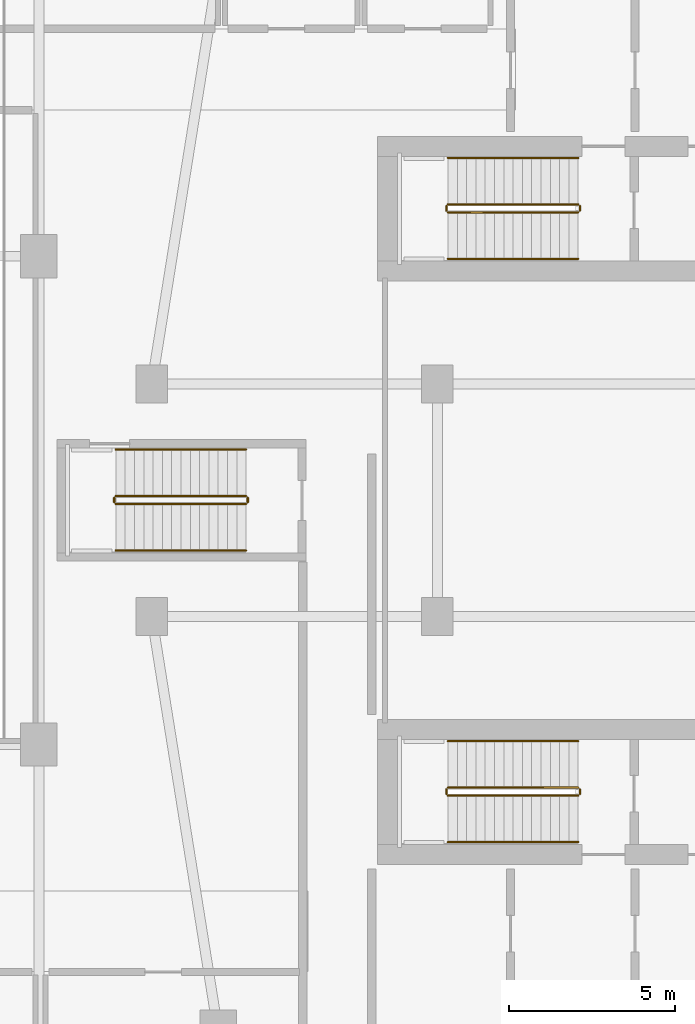
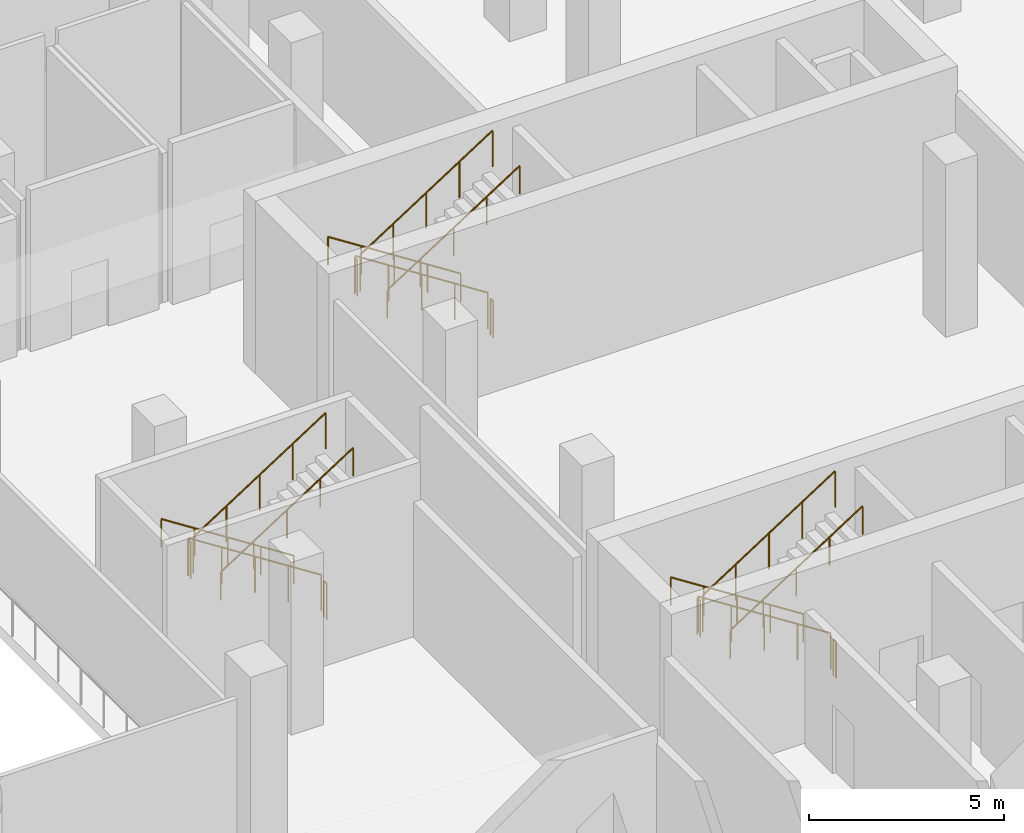
# One storey, part 23 of 24: 18 railings.
"""IFC4 building model written with IfcOpenShell, lengths in metres."""

import ifcopenshell
import ifcopenshell.guid

model = None  # the IFC model being written
_history = None  # IfcOwnerHistory: only IFC2X3 demands one
_inside = {}  # id of a spatial element -> (the spatial element, [elements in it])
_under = {}  # id of a project, library or spatial element -> (it, [spatial elements below it])
_declared = {}  # id of a project -> (the project, [libraries it declares])
_typed = {}  # id of a type object -> (the type object, [elements of that type])
_made_of = {}  # id of a material, layer set ... -> (it, [elements and type objects made of it])


def new_model(schema):
    """Start an empty IFC model of exactly this schema.

    Asked for "IFC4X3", IfcOpenShell would pick the latest addendum, in which some entities
    have other attributes; the version numbers below select the first issue.
    IFC2X3 requires an IfcOwnerHistory on every rooted entity: one is made here for all.
    """
    global model, _history
    if schema == "IFC4X3":
        model = ifcopenshell.file(schema_version=(4, 3, 0, 0))
    else:
        model = ifcopenshell.file(schema=schema)
    _inside.clear()
    _under.clear()
    _declared.clear()
    _typed.clear()
    _made_of.clear()
    _history = None
    if model.schema == "IFC2X3":
        org = make("IfcOrganization", Name="unknown")
        user = make(
            "IfcPersonAndOrganization",
            ThePerson=make("IfcPerson", FamilyName="unknown"),
            TheOrganization=org,
        )
        app = make(
            "IfcApplication",
            ApplicationDeveloper=org,
            Version="unknown",
            ApplicationFullName="unknown",
            ApplicationIdentifier="unknown",
        )
        _history = make(
            "IfcOwnerHistory",
            OwningUser=user,
            OwningApplication=app,
            ChangeAction="ADDED",
            CreationDate=0,
        )
    return model


def make(cls, **values):
    """One entity of the class cls with the attributes given. An attribute that is None is left unset."""
    return model.create_entity(
        cls, **{name: value for name, value in values.items() if value is not None}
    )


def rooted(cls, **values):
    """An entity with a GlobalId (a new one), such as an element, a storey or a relation."""
    return make(cls, GlobalId=ifcopenshell.guid.new(), OwnerHistory=_history, **values)


def si_unit(unit_type, name, prefix=None):
    """IfcSIUnit, for example si_unit("LENGTHUNIT", "METRE", prefix="MILLI")."""
    return make("IfcSIUnit", UnitType=unit_type, Prefix=prefix, Name=name)


def derived_unit(unit_type, elements):
    """IfcDerivedUnit: a product of units, each with its exponent."""
    return make(
        "IfcDerivedUnit",
        Elements=[
            make("IfcDerivedUnitElement", Unit=unit, Exponent=power)
            for unit, power in elements
        ],
        UnitType=unit_type,
    )


def assignment(units):
    """IfcUnitAssignment: the units of a project."""
    return None if units is None else make("IfcUnitAssignment", Units=units)


def point(xyz):
    """IfcCartesianPoint."""
    return None if xyz is None else make("IfcCartesianPoint", Coordinates=xyz)


def direction(xyz):
    """IfcDirection."""
    return None if xyz is None else make("IfcDirection", DirectionRatios=xyz)


def frame(location, z_axis=None, x_axis=None):
    """IfcAxis2Placement3D, a coordinate frame: its origin and axes. An axis left out is left unset."""
    return make(
        "IfcAxis2Placement3D",
        Location=point(location),
        Axis=direction(z_axis),
        RefDirection=direction(x_axis),
    )


def frame_2d(location, x_axis=None):
    """IfcAxis2Placement2D, a coordinate frame in the plane: its origin and x axis."""
    return make(
        "IfcAxis2Placement2D", Location=point(location), RefDirection=direction(x_axis)
    )


def origin():
    """The frame at (0, 0, 0) with its axes left unset."""
    return frame((0.0, 0.0, 0.0))


def origin_2d():
    """The frame at (0, 0) in the plane with its x axis left unset."""
    return frame_2d((0.0, 0.0))


def place(relative_to, where):
    """IfcLocalPlacement: puts the frame where relative to a parent placement (None: the world)."""
    return make(
        "IfcLocalPlacement", PlacementRelTo=relative_to, RelativePlacement=where
    )


def context(
    kind, dimensions, precision=None, world=None, true_north=None, identifier=None
):
    """IfcGeometricRepresentationContext, for example the 3D "Model" context."""
    return make(
        "IfcGeometricRepresentationContext",
        ContextIdentifier=identifier,
        ContextType=kind,
        CoordinateSpaceDimension=dimensions,
        Precision=precision,
        WorldCoordinateSystem=world,
        TrueNorth=true_north,
    )


def subcontext(parent, identifier, kind, view, scale=None):
    """IfcGeometricRepresentationSubContext, for example "Body" below "Model"."""
    return make(
        "IfcGeometricRepresentationSubContext",
        ContextIdentifier=identifier,
        ContextType=kind,
        ParentContext=parent,
        TargetScale=scale,
        TargetView=view,
    )


def project(units=None, contexts=None):
    """IfcProject with its units and contexts."""
    return rooted(
        "IfcProject",
        Name="project",
        RepresentationContexts=contexts,
        UnitsInContext=assignment(units),
    )


def spatial(cls, under=None, at=None, **own):
    """A site, building, storey or space (cls), placed at a placement, below another one or the project."""
    s = rooted(cls, ObjectPlacement=at, **own)
    if under is not None:
        _under.setdefault(under.id(), (under, []))[1].append(s)
    return s


def profile(cls, at=None, kind="AREA", **sizes):
    """A parametric profile (cls). Its sizes go by their IFC names, for example OverallWidth=200.0."""
    return make(cls, ProfileType=kind, Position=at, **sizes)


def circle(**sizes):
    """IfcCircleProfileDef."""
    return profile("IfcCircleProfileDef", **sizes)


def extrude(swept, where, along, depth):
    """IfcExtrudedAreaSolid: the profile swept, set in the frame where, extruded along a direction by depth."""
    return make(
        "IfcExtrudedAreaSolid",
        SweptArea=swept,
        Position=where,
        ExtrudedDirection=direction(along),
        Depth=depth,
    )


def shape(context_of_items, identifier, shape_type, items):
    """IfcShapeRepresentation: the items that make up one representation, for example the "Body"."""
    return make(
        "IfcShapeRepresentation",
        ContextOfItems=context_of_items,
        RepresentationIdentifier=identifier,
        RepresentationType=shape_type,
        Items=items,
    )


def material(Name=None, Category=None):
    """IfcMaterial."""
    return make("IfcMaterial", Name=Name, Category=Category)


def made_of(thing, what):
    """Note that an element or type object is made of a material, layer set ...; save() writes the relation."""
    if what is not None:
        _made_of.setdefault(what.id(), (what, []))[1].append(thing)
    return thing


def type_object(cls, material=None, **own):
    """A type object (cls), such as IfcWallType, which elements share."""
    return made_of(rooted(cls, **own), material)


def element(
    cls,
    number,
    at=None,
    inside=None,
    cuts=None,
    type_object=None,
    material=None,
    context=None,
    identifier="Body",
    shape_type=None,
    held_by="IfcProductDefinitionShape",
    body=None,
    shapes=None,
    **own,
):
    """One element of the class cls, such as IfcWall. Its Tag is "e" and its number.

    at: its placement. inside: the storey or other place that contains it. cuts: it is an
    opening in that element (IfcRelVoidsElement). A single representation is given by context,
    identifier, shape_type and body (its items); several are given by shapes. held_by: the class
    of the entity that holds the representations. save() writes the other relations.
    """
    e = rooted(cls, Tag="e%d" % number, ObjectPlacement=at, **own)
    if body is not None:
        shapes = [shape(context, identifier, shape_type, body)]
    if shapes is not None:
        e.Representation = make(held_by, Representations=shapes)
    if inside is not None:
        _inside.setdefault(inside.id(), (inside, []))[1].append(e)
    if cuts is not None:
        rooted(
            "IfcRelVoidsElement", RelatingBuildingElement=cuts, RelatedOpeningElement=e
        )
    if type_object is not None:
        _typed.setdefault(type_object.id(), (type_object, []))[1].append(e)
    return made_of(e, material)


def aggregate(whole, parts):
    """IfcRelAggregates: a whole, such as a stair, and the parts it consists of."""
    return rooted("IfcRelAggregates", RelatingObject=whole, RelatedObjects=parts)


def save(model, path):
    """Write the relations noted so far, then the file.

    IfcRelAggregates (storeys below a building ...), IfcRelContainedInSpatialStructure (elements
    in a storey), IfcRelDefinesByType, IfcRelAssociatesMaterial and IfcRelDeclares: one each for
    every whole, place, type object, material and project.
    """
    for whole, parts in _under.values():
        aggregate(whole, parts)
    for where, things in _inside.values():
        rooted(
            "IfcRelContainedInSpatialStructure",
            RelatedElements=things,
            RelatingStructure=where,
        )
    for kind, things in _typed.values():
        rooted("IfcRelDefinesByType", RelatedObjects=things, RelatingType=kind)
    for what, things in _made_of.values():
        rooted("IfcRelAssociatesMaterial", RelatedObjects=things, RelatingMaterial=what)
    for by, libraries in _declared.values():
        rooted("IfcRelDeclares", RelatingContext=by, RelatedDefinitions=libraries)
    model.write(path)


model = new_model("IFC4")

# Units and contexts
model_context = context("Model", 3, precision=1e-05, world=origin(), true_north=direction((0.0, 1.0)))
body_context = subcontext(model_context, "Body", "Model", "MODEL_VIEW")
ifc_project = project(units=[si_unit("LENGTHUNIT", "METRE"), si_unit("AREAUNIT", "SQUARE_METRE"), si_unit("VOLUMEUNIT", "CUBIC_METRE"), si_unit("PLANEANGLEUNIT", "RADIAN"), si_unit("MASSUNIT", "GRAM", prefix="KILO"), derived_unit("THERMALTRANSMITTANCEUNIT", [(si_unit("POWERUNIT", "WATT"), 1), (si_unit("LENGTHUNIT", "METRE"), -2), (si_unit("THERMODYNAMICTEMPERATUREUNIT", "KELVIN"), -1)])], contexts=[model_context])

# Site, building, storey
site_placement = place(None, origin())
site = spatial("IfcSite", under=ifc_project, at=site_placement, CompositionType="ELEMENT")
building_placement = place(site_placement, origin())
building = spatial("IfcBuilding", under=site, at=building_placement, Name="Kivonza Crest Hotel", CompositionType="ELEMENT")
storey_placement = place(building_placement, origin())
storey = spatial("IfcBuildingStorey", under=building, at=storey_placement, Name="L00", CompositionType="ELEMENT", Elevation=0.0)

# Railings
ifc_material_1 = material(Name="Brushed stainless steel handrail", Category="steel")
railing_type_1 = type_object("IfcRailingType", Name="RL-HAND-900", PredefinedType="HANDRAIL", material=ifc_material_1)
railing_1_placement = place(storey_placement, frame((73.840087890625, 35.31005859375, 0.179931640625)))
element("IfcRailing", 1, at=railing_1_placement, inside=storey, type_object=railing_type_1, Name="L00 ST-T2-N stair handrail 1", PredefinedType="HANDRAIL", context=body_context, shape_type="SweptSolid", body=[
    extrude(circle(Radius=0.02392578125, at=origin_2d()), frame((0.0, 0.0, 0.8759765625), z_axis=(-0.841186985886, 0.0, 0.540744352514), x_axis=(0.0, -1.0, 0.0)), (0.0, 0.0, 1.0), 4.660400390625),
    extrude(circle(Radius=0.02099609375, at=origin_2d()), origin(), (0.0, 0.0, 1.0), 0.851806640625),
    extrude(circle(Radius=0.02099609375, at=origin_2d()), frame((-0.97998046875, 0.0, 0.6298828125)), (0.0, 0.0, 1.0), 0.851806640625),
    extrude(circle(Radius=0.02099609375, at=origin_2d()), frame((-1.9599609375, 0.0, 1.260009765625)), (0.0, 0.0, 1.0), 0.851806640625),
    extrude(circle(Radius=0.02099609375, at=origin_2d()), frame((-2.940185546875, 0.0, 1.89013671875)), (0.0, 0.0, 1.0), 0.851806640625),
    extrude(circle(Radius=0.02099609375, at=origin_2d()), frame((-3.920166015625, 0.0, 2.52001953125)), (0.0, 0.0, 1.0), 0.851806640625),
])
railing_2_placement = place(storey_placement, frame((69.919921875, 32.27001953125, 2.8798828125)))
element("IfcRailing", 2, at=railing_2_placement, inside=storey, type_object=railing_type_1, Name="L00 ST-T2-N stair handrail 2", PredefinedType="HANDRAIL", context=body_context, shape_type="SweptSolid", body=[
    extrude(circle(Radius=0.02392578125, at=origin_2d()), frame((0.0, 0.0, 0.8759765625), z_axis=(0.841186985886, 0.0, 0.540744352514), x_axis=(0.0, 1.0, 0.0)), (0.0, 0.0, 1.0), 4.660400390625),
    extrude(circle(Radius=0.02099609375, at=origin_2d()), origin(), (0.0, 0.0, 1.0), 0.851806640625),
    extrude(circle(Radius=0.02099609375, at=origin_2d()), frame((0.97998046875, 0.0, 0.6298828125)), (0.0, 0.0, 1.0), 0.851806640625),
    extrude(circle(Radius=0.02099609375, at=origin_2d()), frame((1.9599609375, 0.0, 1.260009765625)), (0.0, 0.0, 1.0), 0.851806640625),
    extrude(circle(Radius=0.02099609375, at=origin_2d()), frame((2.940185546875, 0.0, 1.89013671875)), (0.0, 0.0, 1.0), 0.851806640625),
    extrude(circle(Radius=0.02099609375, at=origin_2d()), frame((3.920166015625, 0.0, 2.52001953125)), (0.0, 0.0, 1.0), 0.851806640625),
])
railing_3_placement = place(storey_placement, frame((73.840087890625, 17.75, 0.179931640625)))
element("IfcRailing", 3, at=railing_3_placement, inside=storey, type_object=railing_type_1, Name="L00 ST-T2-S stair handrail 1", PredefinedType="HANDRAIL", context=body_context, shape_type="SweptSolid", body=[
    extrude(circle(Radius=0.02392578125, at=origin_2d()), frame((0.0, 0.0, 0.8759765625), z_axis=(-0.841186985886, 0.0, 0.540744352514), x_axis=(0.0, -1.0, 0.0)), (0.0, 0.0, 1.0), 4.660400390625),
    extrude(circle(Radius=0.02099609375, at=origin_2d()), origin(), (0.0, 0.0, 1.0), 0.851806640625),
    extrude(circle(Radius=0.02099609375, at=origin_2d()), frame((-0.97998046875, 0.0, 0.6298828125)), (0.0, 0.0, 1.0), 0.851806640625),
    extrude(circle(Radius=0.02099609375, at=origin_2d()), frame((-1.9599609375, 0.0, 1.260009765625)), (0.0, 0.0, 1.0), 0.851806640625),
    extrude(circle(Radius=0.02099609375, at=origin_2d()), frame((-2.940185546875, 0.0, 1.89013671875)), (0.0, 0.0, 1.0), 0.851806640625),
    extrude(circle(Radius=0.02099609375, at=origin_2d()), frame((-3.920166015625, 0.0, 2.52001953125)), (0.0, 0.0, 1.0), 0.851806640625),
])
railing_4_placement = place(storey_placement, frame((69.919921875, 14.7099609375, 2.8798828125)))
element("IfcRailing", 4, at=railing_4_placement, inside=storey, type_object=railing_type_1, Name="L00 ST-T2-S stair handrail 2", PredefinedType="HANDRAIL", context=body_context, shape_type="SweptSolid", body=[
    extrude(circle(Radius=0.02392578125, at=origin_2d()), frame((0.0, 0.0, 0.8759765625), z_axis=(0.841186985886, 0.0, 0.540744352514), x_axis=(0.0, 1.0, 0.0)), (0.0, 0.0, 1.0), 4.660400390625),
    extrude(circle(Radius=0.02099609375, at=origin_2d()), origin(), (0.0, 0.0, 1.0), 0.851806640625),
    extrude(circle(Radius=0.02099609375, at=origin_2d()), frame((0.97998046875, 0.0, 0.6298828125)), (0.0, 0.0, 1.0), 0.851806640625),
    extrude(circle(Radius=0.02099609375, at=origin_2d()), frame((1.9599609375, 0.0, 1.260009765625)), (0.0, 0.0, 1.0), 0.851806640625),
    extrude(circle(Radius=0.02099609375, at=origin_2d()), frame((2.940185546875, 0.0, 1.89013671875)), (0.0, 0.0, 1.0), 0.851806640625),
    extrude(circle(Radius=0.02099609375, at=origin_2d()), frame((3.920166015625, 0.0, 2.52001953125)), (0.0, 0.0, 1.0), 0.851806640625),
])
railing_5_placement = place(storey_placement, frame((63.840087890625, 26.530029296875, 0.179931640625)))
element("IfcRailing", 5, at=railing_5_placement, inside=storey, type_object=railing_type_1, Name="L00 ST-POD-E stair handrail 1", PredefinedType="HANDRAIL", context=body_context, shape_type="SweptSolid", body=[
    extrude(circle(Radius=0.02392578125, at=origin_2d()), frame((0.0, 0.0, 0.8759765625), z_axis=(-0.841186985886, 0.0, 0.540744352514), x_axis=(0.0, -1.0, 0.0)), (0.0, 0.0, 1.0), 4.660400390625),
    extrude(circle(Radius=0.02099609375, at=origin_2d()), origin(), (0.0, 0.0, 1.0), 0.851806640625),
    extrude(circle(Radius=0.02099609375, at=origin_2d()), frame((-0.97998046875, 0.0, 0.6298828125)), (0.0, 0.0, 1.0), 0.851806640625),
    extrude(circle(Radius=0.02099609375, at=origin_2d()), frame((-1.9599609375, 0.0, 1.260009765625)), (0.0, 0.0, 1.0), 0.851806640625),
    extrude(circle(Radius=0.02099609375, at=origin_2d()), frame((-2.940185546875, 0.0, 1.89013671875)), (0.0, 0.0, 1.0), 0.851806640625),
    extrude(circle(Radius=0.02099609375, at=origin_2d()), frame((-3.920166015625, 0.0, 2.52001953125)), (0.0, 0.0, 1.0), 0.851806640625),
])
railing_6_placement = place(storey_placement, frame((59.919921875, 23.489990234375, 2.8798828125)))
element("IfcRailing", 6, at=railing_6_placement, inside=storey, type_object=railing_type_1, Name="L00 ST-POD-E stair handrail 2", PredefinedType="HANDRAIL", context=body_context, shape_type="SweptSolid", body=[
    extrude(circle(Radius=0.02392578125, at=origin_2d()), frame((0.0, 0.0, 0.8759765625), z_axis=(0.841186985886, 0.0, 0.540744352514), x_axis=(0.0, 1.0, 0.0)), (0.0, 0.0, 1.0), 4.660400390625),
    extrude(circle(Radius=0.02099609375, at=origin_2d()), origin(), (0.0, 0.0, 1.0), 0.851806640625),
    extrude(circle(Radius=0.02099609375, at=origin_2d()), frame((0.97998046875, 0.0, 0.6298828125)), (0.0, 0.0, 1.0), 0.851806640625),
    extrude(circle(Radius=0.02099609375, at=origin_2d()), frame((1.9599609375, 0.0, 1.260009765625)), (0.0, 0.0, 1.0), 0.851806640625),
    extrude(circle(Radius=0.02099609375, at=origin_2d()), frame((2.940185546875, 0.0, 1.89013671875)), (0.0, 0.0, 1.0), 0.851806640625),
    extrude(circle(Radius=0.02099609375, at=origin_2d()), frame((3.920166015625, 0.0, 2.52001953125)), (0.0, 0.0, 1.0), 0.851806640625),
])
ifc_material_2 = material(Name="Painted steel balustrade", Category="steel")
railing_type_2 = type_object("IfcRailingType", Name="RL-STAIR-1150", PredefinedType="BALUSTRADE", material=ifc_material_2)
railing_7_placement = place(storey_placement, frame((73.840087890625, 33.909912109375, 0.179931640625)))
element("IfcRailing", 7, at=railing_7_placement, inside=storey, type_object=railing_type_2, Name="L00 ST-T2-N stair guard 1", PredefinedType="BALUSTRADE", context=body_context, shape_type="SweptSolid", body=[
    extrude(circle(Radius=0.02392578125, at=origin_2d()), frame((0.0, 0.0, 1.1259765625), z_axis=(-0.841186985886, 0.0, 0.540744352514), x_axis=(0.0, -1.0, 0.0)), (0.0, 0.0, 1.0), 4.660400390625),
    extrude(circle(Radius=0.02099609375, at=origin_2d()), origin(), (0.0, 0.0, 1.0), 1.101806640625),
    extrude(circle(Radius=0.02099609375, at=origin_2d()), frame((-0.97998046875, 0.0, 0.6298828125)), (0.0, 0.0, 1.0), 1.101806640625),
    extrude(circle(Radius=0.02099609375, at=origin_2d()), frame((-1.9599609375, 0.0, 1.260009765625)), (0.0, 0.0, 1.0), 1.101806640625),
    extrude(circle(Radius=0.02099609375, at=origin_2d()), frame((-2.940185546875, 0.0, 1.89013671875)), (0.0, 0.0, 1.0), 1.101806640625),
    extrude(circle(Radius=0.02099609375, at=origin_2d()), frame((-3.920166015625, 0.0, 2.52001953125)), (0.0, 0.0, 1.0), 1.101806640625),
])
railing_8_placement = place(storey_placement, frame((69.8701171875, 33.860107421875, 2.699951171875)))
element("IfcRailing", 8, at=railing_8_placement, inside=storey, type_object=railing_type_2, Name="L00 ST-T2-N stair guard 2", PredefinedType="BALUSTRADE", context=body_context, shape_type="SweptSolid", body=[
    extrude(circle(Radius=0.02392578125, at=origin_2d()), frame((0.0, 0.0, 1.1259765625), z_axis=(0.0, -1.0, 0.0), x_axis=(1.0, 0.0, 0.0)), (0.0, 0.0, 1.0), 0.14013671875),
    extrude(circle(Radius=0.02099609375, at=origin_2d()), origin(), (0.0, 0.0, 1.0), 1.101806640625),
    extrude(circle(Radius=0.02099609375, at=origin_2d()), frame((0.0, -0.14013671875, 0.0)), (0.0, 0.0, 1.0), 1.101806640625),
])
railing_9_placement = place(storey_placement, frame((69.919921875, 33.669921875, 2.8798828125)))
element("IfcRailing", 9, at=railing_9_placement, inside=storey, type_object=railing_type_2, Name="L00 ST-T2-N stair guard 3", PredefinedType="BALUSTRADE", context=body_context, shape_type="SweptSolid", body=[
    extrude(circle(Radius=0.02392578125, at=origin_2d()), frame((0.0, 0.0, 1.1259765625), z_axis=(0.841186985886, 0.0, 0.540744352514), x_axis=(0.0, 1.0, 0.0)), (0.0, 0.0, 1.0), 4.660400390625),
    extrude(circle(Radius=0.02099609375, at=origin_2d()), origin(), (0.0, 0.0, 1.0), 1.101806640625),
    extrude(circle(Radius=0.02099609375, at=origin_2d()), frame((0.97998046875, 0.0, 0.6298828125)), (0.0, 0.0, 1.0), 1.101806640625),
    extrude(circle(Radius=0.02099609375, at=origin_2d()), frame((1.9599609375, 0.0, 1.260009765625)), (0.0, 0.0, 1.0), 1.101806640625),
    extrude(circle(Radius=0.02099609375, at=origin_2d()), frame((2.940185546875, 0.0, 1.89013671875)), (0.0, 0.0, 1.0), 1.101806640625),
    extrude(circle(Radius=0.02099609375, at=origin_2d()), frame((3.920166015625, 0.0, 2.52001953125)), (0.0, 0.0, 1.0), 1.101806640625),
])
railing_10_placement = place(storey_placement, frame((73.889892578125, 33.860107421875, 0.0)))
element("IfcRailing", 10, at=railing_10_placement, inside=storey, type_object=railing_type_2, Name="L00 ST-T2-N stair guard 4", PredefinedType="BALUSTRADE", context=body_context, shape_type="SweptSolid", body=[
    extrude(circle(Radius=0.02392578125, at=origin_2d()), frame((0.0, 0.0, 1.1259765625), z_axis=(0.0, -1.0, 0.0), x_axis=(1.0, 0.0, 0.0)), (0.0, 0.0, 1.0), 0.14013671875),
    extrude(circle(Radius=0.02099609375, at=origin_2d()), origin(), (0.0, 0.0, 1.0), 1.101806640625),
    extrude(circle(Radius=0.02099609375, at=origin_2d()), frame((0.0, -0.14013671875, 0.0)), (0.0, 0.0, 1.0), 1.101806640625),
])
railing_11_placement = place(storey_placement, frame((73.840087890625, 16.35009765625, 0.179931640625)))
element("IfcRailing", 11, at=railing_11_placement, inside=storey, type_object=railing_type_2, Name="L00 ST-T2-S stair guard 1", PredefinedType="BALUSTRADE", context=body_context, shape_type="SweptSolid", body=[
    extrude(circle(Radius=0.02392578125, at=origin_2d()), frame((0.0, 0.0, 1.1259765625), z_axis=(-0.841186985886, 0.0, 0.540744352514), x_axis=(0.0, -1.0, 0.0)), (0.0, 0.0, 1.0), 4.660400390625),
    extrude(circle(Radius=0.02099609375, at=origin_2d()), origin(), (0.0, 0.0, 1.0), 1.101806640625),
    extrude(circle(Radius=0.02099609375, at=origin_2d()), frame((-0.97998046875, 0.0, 0.6298828125)), (0.0, 0.0, 1.0), 1.101806640625),
    extrude(circle(Radius=0.02099609375, at=origin_2d()), frame((-1.9599609375, 0.0, 1.260009765625)), (0.0, 0.0, 1.0), 1.101806640625),
    extrude(circle(Radius=0.02099609375, at=origin_2d()), frame((-2.940185546875, 0.0, 1.89013671875)), (0.0, 0.0, 1.0), 1.101806640625),
    extrude(circle(Radius=0.02099609375, at=origin_2d()), frame((-3.920166015625, 0.0, 2.52001953125)), (0.0, 0.0, 1.0), 1.101806640625),
])
railing_12_placement = place(storey_placement, frame((69.8701171875, 16.300048828125, 2.699951171875)))
element("IfcRailing", 12, at=railing_12_placement, inside=storey, type_object=railing_type_2, Name="L00 ST-T2-S stair guard 2", PredefinedType="BALUSTRADE", context=body_context, shape_type="SweptSolid", body=[
    extrude(circle(Radius=0.02392578125, at=origin_2d()), frame((0.0, 0.0, 1.1259765625), z_axis=(0.0, -1.0, 0.0), x_axis=(1.0, 0.0, 0.0)), (0.0, 0.0, 1.0), 0.14013671875),
    extrude(circle(Radius=0.02099609375, at=origin_2d()), origin(), (0.0, 0.0, 1.0), 1.101806640625),
    extrude(circle(Radius=0.02099609375, at=origin_2d()), frame((0.0, -0.14013671875, 0.0)), (0.0, 0.0, 1.0), 1.101806640625),
])
railing_13_placement = place(storey_placement, frame((69.919921875, 16.110107421875, 2.8798828125)))
element("IfcRailing", 13, at=railing_13_placement, inside=storey, type_object=railing_type_2, Name="L00 ST-T2-S stair guard 3", PredefinedType="BALUSTRADE", context=body_context, shape_type="SweptSolid", body=[
    extrude(circle(Radius=0.02392578125, at=origin_2d()), frame((0.0, 0.0, 1.1259765625), z_axis=(0.841186985886, 0.0, 0.540744352514), x_axis=(0.0, 1.0, 0.0)), (0.0, 0.0, 1.0), 4.660400390625),
    extrude(circle(Radius=0.02099609375, at=origin_2d()), origin(), (0.0, 0.0, 1.0), 1.101806640625),
    extrude(circle(Radius=0.02099609375, at=origin_2d()), frame((0.97998046875, 0.0, 0.6298828125)), (0.0, 0.0, 1.0), 1.101806640625),
    extrude(circle(Radius=0.02099609375, at=origin_2d()), frame((1.9599609375, 0.0, 1.260009765625)), (0.0, 0.0, 1.0), 1.101806640625),
    extrude(circle(Radius=0.02099609375, at=origin_2d()), frame((2.940185546875, 0.0, 1.89013671875)), (0.0, 0.0, 1.0), 1.101806640625),
    extrude(circle(Radius=0.02099609375, at=origin_2d()), frame((3.920166015625, 0.0, 2.52001953125)), (0.0, 0.0, 1.0), 1.101806640625),
])
railing_14_placement = place(storey_placement, frame((73.889892578125, 16.300048828125, 0.0)))
element("IfcRailing", 14, at=railing_14_placement, inside=storey, type_object=railing_type_2, Name="L00 ST-T2-S stair guard 4", PredefinedType="BALUSTRADE", context=body_context, shape_type="SweptSolid", body=[
    extrude(circle(Radius=0.02392578125, at=origin_2d()), frame((0.0, 0.0, 1.1259765625), z_axis=(0.0, -1.0, 0.0), x_axis=(1.0, 0.0, 0.0)), (0.0, 0.0, 1.0), 0.14013671875),
    extrude(circle(Radius=0.02099609375, at=origin_2d()), origin(), (0.0, 0.0, 1.0), 1.101806640625),
    extrude(circle(Radius=0.02099609375, at=origin_2d()), frame((0.0, -0.14013671875, 0.0)), (0.0, 0.0, 1.0), 1.101806640625),
])
railing_15_placement = place(storey_placement, frame((63.840087890625, 25.1298828125, 0.179931640625)))
element("IfcRailing", 15, at=railing_15_placement, inside=storey, type_object=railing_type_2, Name="L00 ST-POD-E stair guard 1", PredefinedType="BALUSTRADE", context=body_context, shape_type="SweptSolid", body=[
    extrude(circle(Radius=0.02392578125, at=origin_2d()), frame((0.0, 0.0, 1.1259765625), z_axis=(-0.841186985886, 0.0, 0.540744352514), x_axis=(0.0, -1.0, 0.0)), (0.0, 0.0, 1.0), 4.660400390625),
    extrude(circle(Radius=0.02099609375, at=origin_2d()), origin(), (0.0, 0.0, 1.0), 1.101806640625),
    extrude(circle(Radius=0.02099609375, at=origin_2d()), frame((-0.97998046875, 0.0, 0.6298828125)), (0.0, 0.0, 1.0), 1.101806640625),
    extrude(circle(Radius=0.02099609375, at=origin_2d()), frame((-1.9599609375, 0.0, 1.260009765625)), (0.0, 0.0, 1.0), 1.101806640625),
    extrude(circle(Radius=0.02099609375, at=origin_2d()), frame((-2.940185546875, 0.0, 1.89013671875)), (0.0, 0.0, 1.0), 1.101806640625),
    extrude(circle(Radius=0.02099609375, at=origin_2d()), frame((-3.920166015625, 0.0, 2.52001953125)), (0.0, 0.0, 1.0), 1.101806640625),
])
railing_16_placement = place(storey_placement, frame((59.8701171875, 25.080078125, 2.699951171875)))
element("IfcRailing", 16, at=railing_16_placement, inside=storey, type_object=railing_type_2, Name="L00 ST-POD-E stair guard 2", PredefinedType="BALUSTRADE", context=body_context, shape_type="SweptSolid", body=[
    extrude(circle(Radius=0.02392578125, at=origin_2d()), frame((0.0, 0.0, 1.1259765625), z_axis=(0.0, -1.0, 0.0), x_axis=(1.0, 0.0, 0.0)), (0.0, 0.0, 1.0), 0.14013671875),
    extrude(circle(Radius=0.02099609375, at=origin_2d()), origin(), (0.0, 0.0, 1.0), 1.101806640625),
    extrude(circle(Radius=0.02099609375, at=origin_2d()), frame((0.0, -0.14013671875, 0.0)), (0.0, 0.0, 1.0), 1.101806640625),
])
railing_17_placement = place(storey_placement, frame((59.919921875, 24.889892578125, 2.8798828125)))
element("IfcRailing", 17, at=railing_17_placement, inside=storey, type_object=railing_type_2, Name="L00 ST-POD-E stair guard 3", PredefinedType="BALUSTRADE", context=body_context, shape_type="SweptSolid", body=[
    extrude(circle(Radius=0.02392578125, at=origin_2d()), frame((0.0, 0.0, 1.1259765625), z_axis=(0.841186985886, 0.0, 0.540744352514), x_axis=(0.0, 1.0, 0.0)), (0.0, 0.0, 1.0), 4.660400390625),
    extrude(circle(Radius=0.02099609375, at=origin_2d()), origin(), (0.0, 0.0, 1.0), 1.101806640625),
    extrude(circle(Radius=0.02099609375, at=origin_2d()), frame((0.97998046875, 0.0, 0.6298828125)), (0.0, 0.0, 1.0), 1.101806640625),
    extrude(circle(Radius=0.02099609375, at=origin_2d()), frame((1.9599609375, 0.0, 1.260009765625)), (0.0, 0.0, 1.0), 1.101806640625),
    extrude(circle(Radius=0.02099609375, at=origin_2d()), frame((2.940185546875, 0.0, 1.89013671875)), (0.0, 0.0, 1.0), 1.101806640625),
    extrude(circle(Radius=0.02099609375, at=origin_2d()), frame((3.920166015625, 0.0, 2.52001953125)), (0.0, 0.0, 1.0), 1.101806640625),
])
railing_18_placement = place(storey_placement, frame((63.889892578125, 25.080078125, 0.0)))
element("IfcRailing", 18, at=railing_18_placement, inside=storey, type_object=railing_type_2, Name="L00 ST-POD-E stair guard 4", PredefinedType="BALUSTRADE", context=body_context, shape_type="SweptSolid", body=[
    extrude(circle(Radius=0.02392578125, at=origin_2d()), frame((0.0, 0.0, 1.1259765625), z_axis=(0.0, -1.0, 0.0), x_axis=(1.0, 0.0, 0.0)), (0.0, 0.0, 1.0), 0.14013671875),
    extrude(circle(Radius=0.02099609375, at=origin_2d()), origin(), (0.0, 0.0, 1.0), 1.101806640625),
    extrude(circle(Radius=0.02099609375, at=origin_2d()), frame((0.0, -0.14013671875, 0.0)), (0.0, 0.0, 1.0), 1.101806640625),
])

save(model, "model.ifc")
